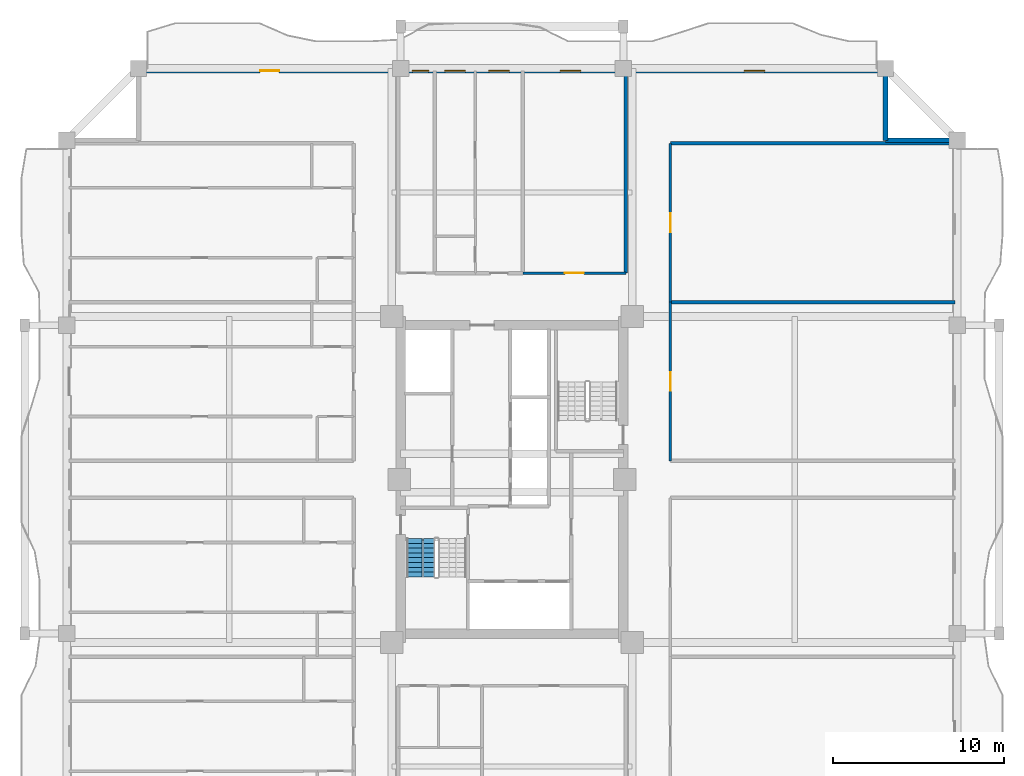
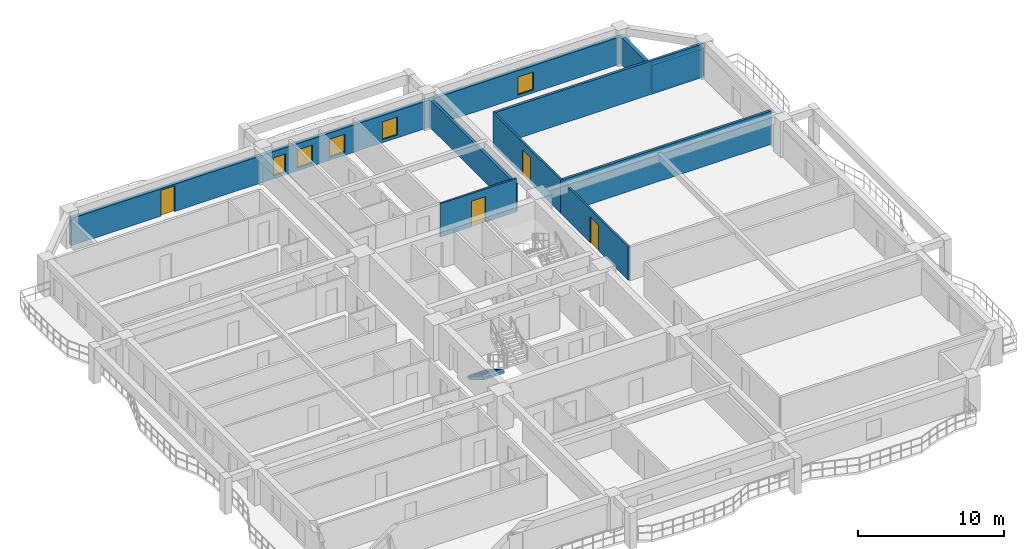
# One storey, part 6 of 11: 9 walls, 5 windows, 4 doors, 1 stair flight, 9 openings, 1 element without a shape of its own.
"""IFC4 building model written with IfcOpenShell, lengths in metres."""

from ifc_helpers import new_model, si_unit, direction, frame, frame_2d, origin, place, context, subcontext, project, spatial, polyline, rectangle, outline, extrude, source, transform, mapped, material, layer, layer_set, type_object, element, fill, aggregate, save


model = new_model("IFC4")

# Units and contexts
model_context = context("Model", 3, precision=1e-05, world=origin(), true_north=direction((0.0, 1.0)))
body_context = subcontext(model_context, "Body", "Model", "MODEL_VIEW")
ifc_project = project(units=[si_unit("LENGTHUNIT", "METRE"), si_unit("AREAUNIT", "SQUARE_METRE"), si_unit("VOLUMEUNIT", "CUBIC_METRE"), si_unit("PLANEANGLEUNIT", "RADIAN"), si_unit("MASSUNIT", "GRAM", prefix="KILO")], contexts=[model_context])

# Site, building, storey
site_placement = place(None, origin())
site = spatial("IfcSite", under=ifc_project, at=site_placement, CompositionType="ELEMENT")
building_placement = place(site_placement, origin())
building = spatial("IfcBuilding", under=site, at=building_placement, Name="Saelheon Loggia Tower", CompositionType="ELEMENT")
storey_placement = place(building_placement, frame((0.0, 0.0, 138.75)))
storey = spatial("IfcBuildingStorey", under=building, at=storey_placement, Name="L44", CompositionType="ELEMENT", Elevation=138.75)

# Wall, openings, windows, door
ifc_material_1 = material(Name="Architectural Precast Concrete C40/50", Category="concrete")
ifc_layer_1 = layer(ifc_material_1, 0.280029296875)
ifc_layer_set_1 = layer_set([ifc_layer_1], Name="Architectural Precast Concrete C40/50")
wall_type_1 = type_object("IfcWallType", Name="Wall_Ext_Loggia_280", PredefinedType="SOLIDWALL", material=ifc_layer_set_1)
wall_1_placement = place(storey_placement, frame((16.199951171875, 50.860107421875, 0.0), z_axis=(0.0, 0.0, 1.0), x_axis=(1.0, 0.0, 0.0)))
wall_1 = element("IfcWall", 1, at=wall_1_placement, inside=storey, type_object=wall_type_1, Name="L44 North Loggia Inner Wall", PredefinedType="SOLIDWALL", context=body_context, shape_type="SweptSolid", body=[
    extrude(rectangle(XDim=43.60009765625, YDim=0.280029296875, at=frame_2d((21.800048828125, 0.0))), origin(), (0.0, 0.0, 1.0), 2.280029296875),
])
opening_1_placement = place(wall_1_placement, frame((7.10009765625, 0.0, 0.0)))
opening_1 = element("IfcOpeningElement", 2, at=opening_1_placement, cuts=wall_1, Name="Opening TD1", PredefinedType="OPENING", context=body_context, shape_type="SweptSolid", body=[
    extrude(rectangle(XDim=1.10009765625, YDim=2.14990234375, at=frame_2d((0.550048828125, 1.074951171875))), frame((0.0, 0.152099609375, 0.0), z_axis=(0.0, -1.0, 0.0), x_axis=(1.0, 0.0, 0.0)), (0.0, 0.0, 1.0), 0.303955078125),
])
opening_2_placement = place(wall_1_placement, frame((15.982421875, 0.0, 0.25)))
opening_2 = element("IfcOpeningElement", 3, at=opening_2_placement, cuts=wall_1, Name="Opening WN-04", PredefinedType="OPENING", context=body_context, shape_type="SweptSolid", body=[
    extrude(rectangle(XDim=0.949951171875, YDim=1.5, at=frame_2d((0.47509765625, 0.75))), frame((0.0, 0.152099609375, 0.0), z_axis=(0.0, -1.0, 0.0), x_axis=(1.0, 0.0, 0.0)), (0.0, 0.0, 1.0), 0.303955078125),
])
opening_3_placement = place(wall_1_placement, frame((17.879638671875, 0.0, 0.25)))
opening_3 = element("IfcOpeningElement", 4, at=opening_3_placement, cuts=wall_1, Name="Opening WN-03", PredefinedType="OPENING", context=body_context, shape_type="SweptSolid", body=[
    extrude(rectangle(XDim=1.199951171875, YDim=1.5, at=frame_2d((0.60009765625, 0.75))), frame((0.0, 0.152099609375, 0.0), z_axis=(0.0, -1.0, 0.0), x_axis=(1.0, 0.0, 0.0)), (0.0, 0.0, 1.0), 0.303955078125),
])
opening_4_placement = place(wall_1_placement, frame((20.444091796875, 0.0, 0.25)))
opening_4 = element("IfcOpeningElement", 5, at=opening_4_placement, cuts=wall_1, Name="Opening WN-03", PredefinedType="OPENING", context=body_context, shape_type="SweptSolid", body=[
    extrude(rectangle(XDim=1.199951171875, YDim=1.5, at=frame_2d((0.60009765625, 0.75))), frame((0.0, 0.152099609375, 0.0), z_axis=(0.0, -1.0, 0.0), x_axis=(1.0, 0.0, 0.0)), (0.0, 0.0, 1.0), 0.303955078125),
])
opening_5_placement = place(wall_1_placement, frame((24.60693359375, 0.0, 0.25)))
opening_5 = element("IfcOpeningElement", 6, at=opening_5_placement, cuts=wall_1, Name="Opening WN-03", PredefinedType="OPENING", context=body_context, shape_type="SweptSolid", body=[
    extrude(rectangle(XDim=1.199951171875, YDim=1.5, at=frame_2d((0.60009765625, 0.75))), frame((0.0, 0.152099609375, 0.0), z_axis=(0.0, -1.0, 0.0), x_axis=(1.0, 0.0, 0.0)), (0.0, 0.0, 1.0), 0.303955078125),
])
opening_6_placement = place(wall_1_placement, frame((35.35009765625, 0.0, 0.25)))
opening_6 = element("IfcOpeningElement", 7, at=opening_6_placement, cuts=wall_1, Name="Opening WN-03", PredefinedType="OPENING", context=body_context, shape_type="SweptSolid", body=[
    extrude(rectangle(XDim=1.199951171875, YDim=1.5, at=frame_2d((0.60009765625, 0.75))), frame((0.0, 0.152099609375, 0.0), z_axis=(0.0, -1.0, 0.0), x_axis=(1.0, 0.0, 0.0)), (0.0, 0.0, 1.0), 0.303955078125),
])
ifc_material_2 = material(Name="Thermal-Break Aluminium and Triple Low-E Glass", Category="aluminium")
window_type_1 = type_object("IfcWindowType", Name="Win_Bedroom_1200x1500", PartitioningType="SINGLE_PANEL", PredefinedType="WINDOW", material=ifc_material_2)
shared_shape_1 = source(origin(), body_context, "Body", "SweptSolid", [
    extrude(rectangle(XDim=1.199951171875, YDim=1.5, at=frame_2d((0.60009765625, 0.75))), frame((0.0, 0.030029296875, 0.0), z_axis=(0.0, -1.0, 0.0), x_axis=(1.0, 0.0, 0.0)), (0.0, 0.0, 1.0), 0.06005859375),
])
window_1_placement = place(opening_3_placement, origin())
window_1 = element("IfcWindow", 8, at=window_1_placement, inside=storey, type_object=window_type_1, Name="L44 N Dwelling Window 3", OverallHeight=1.5, OverallWidth=1.199951171875, PartitioningType="SINGLE_PANEL", PredefinedType="WINDOW", context=body_context, shape_type="MappedRepresentation", body=[
    mapped(shared_shape_1, transform((0.0, 0.0, 0.0), scale=1.0)),
])
fill(opening_3, window_1)
window_2_placement = place(opening_4_placement, origin())
window_2 = element("IfcWindow", 9, at=window_2_placement, inside=storey, type_object=window_type_1, Name="L44 N Dwelling Window 4", OverallHeight=1.5, OverallWidth=1.199951171875, PartitioningType="SINGLE_PANEL", PredefinedType="WINDOW", context=body_context, shape_type="MappedRepresentation", body=[
    mapped(shared_shape_1, transform((0.0, 0.0, 0.0), scale=1.0)),
])
fill(opening_4, window_2)
window_3_placement = place(opening_5_placement, origin())
window_3 = element("IfcWindow", 10, at=window_3_placement, inside=storey, type_object=window_type_1, Name="L44 N Dwelling Window 5", OverallHeight=1.5, OverallWidth=1.199951171875, PartitioningType="SINGLE_PANEL", PredefinedType="WINDOW", context=body_context, shape_type="MappedRepresentation", body=[
    mapped(shared_shape_1, transform((0.0, 0.0, 0.0), scale=1.0)),
])
fill(opening_5, window_3)
window_4_placement = place(opening_6_placement, origin())
window_4 = element("IfcWindow", 11, at=window_4_placement, inside=storey, type_object=window_type_1, Name="L44 N Dwelling Window 6", OverallHeight=1.5, OverallWidth=1.199951171875, PartitioningType="SINGLE_PANEL", PredefinedType="WINDOW", context=body_context, shape_type="MappedRepresentation", body=[
    mapped(shared_shape_1, transform((0.0, 0.0, 0.0), scale=1.0)),
])
fill(opening_6, window_4)
ifc_material_3 = material(Name="Thermal-Break Aluminium Glazed Door", Category="aluminium")
door_type_1 = type_object("IfcDoorType", Name="Door_Terrace_TD1", OperationType="NOTDEFINED", PredefinedType="DOOR", material=ifc_material_3)
shared_shape_2 = source(origin(), body_context, "Body", "SweptSolid", [
    extrude(rectangle(XDim=1.10009765625, YDim=2.14990234375, at=frame_2d((0.550048828125, 1.074951171875))), frame((0.0, 0.02490234375, 0.0), z_axis=(0.0, -1.0, 0.0), x_axis=(1.0, 0.0, 0.0)), (0.0, 0.0, 1.0), 0.050048828125),
])
door_1_placement = place(opening_1_placement, origin())
door_1 = element("IfcDoor", 12, at=door_1_placement, inside=storey, type_object=door_type_1, Name="L44 N Loggia Access Door", OperationType="SINGLE_SWING_LEFT", OverallHeight=2.14990234375, OverallWidth=1.10009765625, PredefinedType="DOOR", context=body_context, shape_type="MappedRepresentation", body=[
    mapped(shared_shape_2, transform((0.0, 0.0, 0.0), scale=1.0)),
])
fill(opening_1, door_1)
window_type_2 = type_object("IfcWindowType", Name="Win_Narrow_950x1500", PartitioningType="SINGLE_PANEL", PredefinedType="WINDOW", material=ifc_material_2)
shared_shape_3 = source(origin(), body_context, "Body", "SweptSolid", [
    extrude(rectangle(XDim=0.949951171875, YDim=1.5, at=frame_2d((0.47509765625, 0.75))), frame((0.0, 0.030029296875, 0.0), z_axis=(0.0, -1.0, 0.0), x_axis=(1.0, 0.0, 0.0)), (0.0, 0.0, 1.0), 0.06005859375),
])
window_5_placement = place(opening_2_placement, origin())
window_5 = element("IfcWindow", 13, at=window_5_placement, inside=storey, type_object=window_type_2, Name="L44 N Dwelling Window 2", OverallHeight=1.5, OverallWidth=0.949951171875, PartitioningType="SINGLE_PANEL", PredefinedType="WINDOW", context=body_context, shape_type="MappedRepresentation", body=[
    mapped(shared_shape_3, transform((0.0, 0.0, 0.0), scale=1.0)),
])
fill(opening_2, window_5)

# Walls
for number, where, z_axis, x_axis, name in (
    (14, (59.800048828125, 46.800048828125, 0.0), (0.0, 0.0, 1.0), (0.0, 1.0, 0.0), "L44 Corner Notch Precast Wall NE1"),
    (15, (59.800048828125, 46.800048828125, 0.0), (0.0, 0.0, 1.0), (1.0, 0.0, 0.0), "L44 Corner Notch Precast Wall NE2"),
):
    element("IfcWall", number, at=place(storey_placement, frame(where, z_axis=z_axis, x_axis=x_axis)), inside=storey, type_object=wall_type_1, Name=name, PredefinedType="SOLIDWALL", context=body_context, shape_type="SweptSolid", body=[
        extrude(rectangle(XDim=4.119873046875, YDim=0.280029296875, at=frame_2d((2.06005859375, 0.0))), origin(), (0.0, 0.0, 1.0), 2.280029296875),
    ])

# Wall, opening, door
ifc_material_4 = material(Name="Lightweight Autoclaved Aerated Concrete Block and Acoustic Gypsum", Category="concrete")
ifc_layer_2 = layer(ifc_material_4, 0.14990234375)
ifc_layer_set_2 = layer_set([ifc_layer_2], Name="Lightweight Autoclaved Aerated Concrete Block and Acoustic Gypsum")
wall_type_2 = type_object("IfcWallType", Name="Wall_Part_150", PredefinedType="PARTITIONING", material=ifc_layer_set_2)
wall_2_placement = place(storey_placement, frame((38.62890625, 39.050048828125, 0.0), z_axis=(0.0, 0.0, 1.0), x_axis=(1.0, 0.0, 0.0)))
wall_2 = element("IfcWall", 16, at=wall_2_placement, inside=storey, type_object=wall_type_2, Name="L44 N Partition V12", PredefinedType="PARTITIONING", context=body_context, shape_type="SweptSolid", body=[
    extrude(rectangle(XDim=6.02099609375, YDim=0.14990234375, at=frame_2d((3.010498046875, 0.0))), origin(), (0.0, 0.0, 1.0), 2.7900390625),
])
opening_7_placement = place(wall_2_placement, frame((2.46044921875, 0.0, 0.0)))
opening_7 = element("IfcOpeningElement", 17, at=opening_7_placement, cuts=wall_2, Name="Opening D-FD2", PredefinedType="OPENING", context=body_context, shape_type="SweptSolid", body=[
    extrude(rectangle(XDim=1.10009765625, YDim=2.14990234375, at=frame_2d((0.550048828125, 1.074951171875))), frame((0.0, 0.0869140625, 0.0), z_axis=(0.0, -1.0, 0.0), x_axis=(1.0, 0.0, 0.0)), (0.0, 0.0, 1.0), 0.173828125),
])
ifc_material_5 = material(Name="Galvanised Steel Fire Door", Category="steel")
door_type_2 = type_object("IfcDoorType", Name="Door_Fire_FD60_1100", OperationType="NOTDEFINED", PredefinedType="DOOR", material=ifc_material_5)
door_2_placement = place(opening_7_placement, origin())
door_2 = element("IfcDoor", 18, at=door_2_placement, inside=storey, type_object=door_type_2, Name="L44 Community Reading Library Door A", OperationType="SINGLE_SWING_RIGHT", OverallHeight=2.14990234375, OverallWidth=1.10009765625, PredefinedType="DOOR", context=body_context, shape_type="MappedRepresentation", body=[
    mapped(shared_shape_2, transform((0.0, 0.0, 0.0), scale=1.0)),
])
fill(opening_7, door_2)

wall_3_placement = place(storey_placement, frame((47.25, 28.080078125, 0.0), z_axis=(0.0, 0.0, 1.0), x_axis=(0.0, 1.0, 0.0)))
wall_3 = element("IfcWall", 19, at=wall_3_placement, inside=storey, type_object=wall_type_2, Name="L44 EN Partition V03", PredefinedType="PARTITIONING", context=body_context, shape_type="SweptSolid", body=[
    extrude(rectangle(XDim=9.27001953125, YDim=0.14990234375, at=frame_2d((4.635009765625, 0.0))), origin(), (0.0, 0.0, 1.0), 2.7900390625),
])
opening_8_placement = place(wall_3_placement, frame((4.0849609375, 0.0, 0.0)))
opening_8 = element("IfcOpeningElement", 20, at=opening_8_placement, cuts=wall_3, Name="Opening D-FD2", PredefinedType="OPENING", context=body_context, shape_type="SweptSolid", body=[
    extrude(rectangle(XDim=1.10009765625, YDim=2.14990234375, at=frame_2d((0.550048828125, 1.074951171875))), frame((0.0, 0.0869140625, 0.0), z_axis=(0.0, -1.0, 0.0), x_axis=(1.0, 0.0, 0.0)), (0.0, 0.0, 1.0), 0.173828125),
])
door_3_placement = place(opening_8_placement, origin())
door_3 = element("IfcDoor", 21, at=door_3_placement, inside=storey, type_object=door_type_2, Name="L44 Co-Working Open Plan Office Door A", OperationType="SINGLE_SWING_LEFT", OverallHeight=2.14990234375, OverallWidth=1.10009765625, PredefinedType="DOOR", context=body_context, shape_type="MappedRepresentation", body=[
    mapped(shared_shape_2, transform((0.0, 0.0, 0.0), scale=1.0)),
])
fill(opening_8, door_3)

wall_4_placement = place(storey_placement, frame((47.25, 37.35009765625, 0.0), z_axis=(0.0, 0.0, 1.0), x_axis=(0.0, 1.0, 0.0)))
wall_4 = element("IfcWall", 22, at=wall_4_placement, inside=storey, type_object=wall_type_2, Name="L44 EN Partition V05", PredefinedType="PARTITIONING", context=body_context, shape_type="SweptSolid", body=[
    extrude(rectangle(XDim=9.27001953125, YDim=0.14990234375, at=frame_2d((4.635009765625, 0.0))), origin(), (0.0, 0.0, 1.0), 2.7900390625),
])
opening_9_placement = place(wall_4_placement, frame((4.0849609375, 0.0, 0.0)))
opening_9 = element("IfcOpeningElement", 23, at=opening_9_placement, cuts=wall_4, Name="Opening D-FD2", PredefinedType="OPENING", context=body_context, shape_type="SweptSolid", body=[
    extrude(rectangle(XDim=1.10009765625, YDim=2.14990234375, at=frame_2d((0.550048828125, 1.074951171875))), frame((0.0, 0.0869140625, 0.0), z_axis=(0.0, -1.0, 0.0), x_axis=(1.0, 0.0, 0.0)), (0.0, 0.0, 1.0), 0.173828125),
])
door_4_placement = place(opening_9_placement, origin())
door_4 = element("IfcDoor", 24, at=door_4_placement, inside=storey, type_object=door_type_2, Name="L44 Co-Working Open Plan Office Door A", OperationType="SINGLE_SWING_RIGHT", OverallHeight=2.14990234375, OverallWidth=1.10009765625, PredefinedType="DOOR", context=body_context, shape_type="MappedRepresentation", body=[
    mapped(shared_shape_2, transform((0.0, 0.0, 0.0), scale=1.0)),
])
fill(opening_9, door_4)

# Walls
ifc_material_6 = material(Name="Double Acoustic Stud and Fireboard Partition", Category="gypsum")
ifc_layer_3 = layer(ifc_material_6, 0.199951171875)
ifc_layer_set_3 = layer_set([ifc_layer_3], Name="Double Acoustic Stud and Fireboard Partition")
wall_type_3 = type_object("IfcWallType", Name="Wall_Party_200", PredefinedType="PARTITIONING", material=ifc_layer_set_3)
wall_5_placement = place(storey_placement, frame((44.64990234375, 39.050048828125, 0.0), z_axis=(0.0, 0.0, 1.0), x_axis=(0.0, 1.0, 0.0)))
element("IfcWall", 25, at=wall_5_placement, inside=storey, type_object=wall_type_3, Name="L44 N Partition U02", PredefinedType="PARTITIONING", context=body_context, shape_type="SweptSolid", body=[
    extrude(rectangle(XDim=11.800048828125, YDim=0.199951171875, at=frame_2d((5.89990234375, 0.0))), origin(), (0.0, 0.0, 1.0), 2.340087890625),
])
for number, where, z_axis, x_axis, name in (
    (26, (47.25, 46.6201171875, 0.0), (0.0, 0.0, 1.0), (1.0, 0.0, 0.0), "L44 EN Partition U02"),
    (27, (47.25, 37.35009765625, 0.0), (0.0, 0.0, 1.0), (1.0, 0.0, 0.0), "L44 EN Partition U04"),
):
    element("IfcWall", number, at=place(storey_placement, frame(where, z_axis=z_axis, x_axis=x_axis)), inside=storey, type_object=wall_type_3, Name=name, PredefinedType="PARTITIONING", context=body_context, shape_type="SweptSolid", body=[
        extrude(rectangle(XDim=16.60009765625, YDim=0.199951171875, at=frame_2d((8.300048828125, 0.0))), origin(), (0.0, 0.0, 1.0), 2.7900390625),
    ])

# Stair, stair flight
ifc_material_7 = material(Name="Concrete C40/50", Category="concrete")
stair_type = type_object("IfcStairType", Name="Stair_Escape_Core", PredefinedType="HALF_TURN_STAIR", material=ifc_material_7)
stair_placement = place(storey_placement, origin())
stair = element("IfcStair", 28, at=stair_placement, inside=storey, type_object=stair_type, Name="L44 Special Escape Stair ST1", PredefinedType="HALF_TURN_STAIR")
stair_flight_type = type_object("IfcStairFlightType", Name="StairFlight_Tower_1660", PredefinedType="STRAIGHT", material=ifc_material_7)
stair_flight_placement = place(storey_placement, frame((32.679931640625, 23.550048828125, 0.0), z_axis=(0.0, 0.0, 1.0), x_axis=(0.0, -1.0, 0.0)))
stair_flight = element("IfcStairFlight", 29, at=stair_flight_placement, type_object=stair_flight_type, Name="ST1 flight 1", NumberOfRisers=9, NumberOfTreads=8, PredefinedType="STRAIGHT", RiserHeight=0.166666667, TreadLength=0.28, context=body_context, shape_type="SweptSolid", body=[
    extrude(outline(polyline([(0.0, 0.0), (0.0, 0.166748046875), (0.280029296875, 0.166748046875), (0.280029296875, 0.333251953125), (0.56005859375, 0.333251953125), (0.56005859375, 0.5), (0.840087890625, 0.5), (0.840087890625, 0.666748046875), (1.1201171875, 0.666748046875), (1.1201171875, 0.833251953125), (1.39990234375, 0.833251953125), (1.39990234375, 1.0), (1.679931640625, 1.0), (1.679931640625, 1.166748046875), (1.9599609375, 1.166748046875), (1.9599609375, 1.333251953125), (2.239990234375, 1.333251953125), (2.239990234375, 1.5), (2.239990234375, 1.1240234375), (0.351806640625, 0.0), (0.0, 0.0)])), frame((0.0, -0.2490234375, 0.0), z_axis=(0.0, -1.0, 0.0), x_axis=(1.0, 0.0, 0.0)), (0.0, 0.0, 1.0), 0.5810546875),
    extrude(outline(polyline([(0.0, 0.0), (0.0, 0.166748046875), (0.280029296875, 0.166748046875), (0.280029296875, 0.333251953125), (0.56005859375, 0.333251953125), (0.56005859375, 0.5), (0.840087890625, 0.5), (0.840087890625, 0.666748046875), (1.1201171875, 0.666748046875), (1.1201171875, 0.833251953125), (1.39990234375, 0.833251953125), (1.39990234375, 1.0), (1.679931640625, 1.0), (1.679931640625, 1.166748046875), (1.9599609375, 1.166748046875), (1.9599609375, 1.333251953125), (2.239990234375, 1.333251953125), (2.239990234375, 1.5), (2.239990234375, 1.1240234375), (0.351806640625, 0.0), (0.0, 0.0)])), frame((0.0, -0.194091796875, 0.0), z_axis=(0.0, -1.0, 0.0), x_axis=(1.0, 0.0, 0.0)), (0.0, 0.0, 1.0), 0.0498046875),
    extrude(outline(polyline([(0.0, 0.0), (0.0, 0.166748046875), (0.280029296875, 0.166748046875), (0.280029296875, 0.333251953125), (0.56005859375, 0.333251953125), (0.56005859375, 0.5), (0.840087890625, 0.5), (0.840087890625, 0.666748046875), (1.1201171875, 0.666748046875), (1.1201171875, 0.833251953125), (1.39990234375, 0.833251953125), (1.39990234375, 1.0), (1.679931640625, 1.0), (1.679931640625, 1.166748046875), (1.9599609375, 1.166748046875), (1.9599609375, 1.333251953125), (2.239990234375, 1.333251953125), (2.239990234375, 1.5), (2.239990234375, 1.1240234375), (0.351806640625, 0.0), (0.0, 0.0)])), frame((0.0, -0.139404296875, 0.0), z_axis=(0.0, -1.0, 0.0), x_axis=(1.0, 0.0, 0.0)), (0.0, 0.0, 1.0), 0.0498046875),
    extrude(outline(polyline([(0.0, 0.0), (0.0, 0.166748046875), (0.280029296875, 0.166748046875), (0.280029296875, 0.333251953125), (0.56005859375, 0.333251953125), (0.56005859375, 0.5), (0.840087890625, 0.5), (0.840087890625, 0.666748046875), (1.1201171875, 0.666748046875), (1.1201171875, 0.833251953125), (1.39990234375, 0.833251953125), (1.39990234375, 1.0), (1.679931640625, 1.0), (1.679931640625, 1.166748046875), (1.9599609375, 1.166748046875), (1.9599609375, 1.333251953125), (2.239990234375, 1.333251953125), (2.239990234375, 1.5), (2.239990234375, 1.1240234375), (0.351806640625, 0.0), (0.0, 0.0)])), frame((0.0, -0.084716796875, 0.0), z_axis=(0.0, -1.0, 0.0), x_axis=(1.0, 0.0, 0.0)), (0.0, 0.0, 1.0), 0.0498046875),
    extrude(outline(polyline([(0.0, 0.0), (0.0, 0.166748046875), (0.280029296875, 0.166748046875), (0.280029296875, 0.333251953125), (0.56005859375, 0.333251953125), (0.56005859375, 0.5), (0.840087890625, 0.5), (0.840087890625, 0.666748046875), (1.1201171875, 0.666748046875), (1.1201171875, 0.833251953125), (1.39990234375, 0.833251953125), (1.39990234375, 1.0), (1.679931640625, 1.0), (1.679931640625, 1.166748046875), (1.9599609375, 1.166748046875), (1.9599609375, 1.333251953125), (2.239990234375, 1.333251953125), (2.239990234375, 1.5), (2.239990234375, 1.1240234375), (0.351806640625, 0.0), (0.0, 0.0)])), frame((0.0, -0.02978515625, 0.0), z_axis=(0.0, -1.0, 0.0), x_axis=(1.0, 0.0, 0.0)), (0.0, 0.0, 1.0), 0.0498046875),
    extrude(outline(polyline([(0.0, 0.0), (0.0, 0.166748046875), (0.280029296875, 0.166748046875), (0.280029296875, 0.333251953125), (0.56005859375, 0.333251953125), (0.56005859375, 0.5), (0.840087890625, 0.5), (0.840087890625, 0.666748046875), (1.1201171875, 0.666748046875), (1.1201171875, 0.833251953125), (1.39990234375, 0.833251953125), (1.39990234375, 1.0), (1.679931640625, 1.0), (1.679931640625, 1.166748046875), (1.9599609375, 1.166748046875), (1.9599609375, 1.333251953125), (2.239990234375, 1.333251953125), (2.239990234375, 1.5), (2.239990234375, 1.1240234375), (0.351806640625, 0.0), (0.0, 0.0)])), frame((0.0, 0.02490234375, 0.0), z_axis=(0.0, -1.0, 0.0), x_axis=(1.0, 0.0, 0.0)), (0.0, 0.0, 1.0), 0.0498046875),
    extrude(outline(polyline([(0.0, 0.0), (0.0, 0.166748046875), (0.280029296875, 0.166748046875), (0.280029296875, 0.333251953125), (0.56005859375, 0.333251953125), (0.56005859375, 0.5), (0.840087890625, 0.5), (0.840087890625, 0.666748046875), (1.1201171875, 0.666748046875), (1.1201171875, 0.833251953125), (1.39990234375, 0.833251953125), (1.39990234375, 1.0), (1.679931640625, 1.0), (1.679931640625, 1.166748046875), (1.9599609375, 1.166748046875), (1.9599609375, 1.333251953125), (2.239990234375, 1.333251953125), (2.239990234375, 1.5), (2.239990234375, 1.1240234375), (0.351806640625, 0.0), (0.0, 0.0)])), frame((0.0, 0.07958984375, 0.0), z_axis=(0.0, -1.0, 0.0), x_axis=(1.0, 0.0, 0.0)), (0.0, 0.0, 1.0), 0.0498046875),
    extrude(outline(polyline([(0.0, 0.0), (0.0, 0.166748046875), (0.280029296875, 0.166748046875), (0.280029296875, 0.333251953125), (0.56005859375, 0.333251953125), (0.56005859375, 0.5), (0.840087890625, 0.5), (0.840087890625, 0.666748046875), (1.1201171875, 0.666748046875), (1.1201171875, 0.833251953125), (1.39990234375, 0.833251953125), (1.39990234375, 1.0), (1.679931640625, 1.0), (1.679931640625, 1.166748046875), (1.9599609375, 1.166748046875), (1.9599609375, 1.333251953125), (2.239990234375, 1.333251953125), (2.239990234375, 1.5), (2.239990234375, 1.1240234375), (0.351806640625, 0.0), (0.0, 0.0)])), frame((0.0, 0.134521484375, 0.0), z_axis=(0.0, -1.0, 0.0), x_axis=(1.0, 0.0, 0.0)), (0.0, 0.0, 1.0), 0.0498046875),
    extrude(outline(polyline([(0.0, 0.0), (0.0, 0.166748046875), (0.280029296875, 0.166748046875), (0.280029296875, 0.333251953125), (0.56005859375, 0.333251953125), (0.56005859375, 0.5), (0.840087890625, 0.5), (0.840087890625, 0.666748046875), (1.1201171875, 0.666748046875), (1.1201171875, 0.833251953125), (1.39990234375, 0.833251953125), (1.39990234375, 1.0), (1.679931640625, 1.0), (1.679931640625, 1.166748046875), (1.9599609375, 1.166748046875), (1.9599609375, 1.333251953125), (2.239990234375, 1.333251953125), (2.239990234375, 1.5), (2.239990234375, 1.1240234375), (0.351806640625, 0.0), (0.0, 0.0)])), frame((0.0, 0.189208984375, 0.0), z_axis=(0.0, -1.0, 0.0), x_axis=(1.0, 0.0, 0.0)), (0.0, 0.0, 1.0), 0.0498046875),
    extrude(outline(polyline([(0.0, 0.0), (0.0, 0.166748046875), (0.280029296875, 0.166748046875), (0.280029296875, 0.333251953125), (0.56005859375, 0.333251953125), (0.56005859375, 0.5), (0.840087890625, 0.5), (0.840087890625, 0.666748046875), (1.1201171875, 0.666748046875), (1.1201171875, 0.833251953125), (1.39990234375, 0.833251953125), (1.39990234375, 1.0), (1.679931640625, 1.0), (1.679931640625, 1.166748046875), (1.9599609375, 1.166748046875), (1.9599609375, 1.333251953125), (2.239990234375, 1.333251953125), (2.239990234375, 1.5), (2.239990234375, 1.1240234375), (0.351806640625, 0.0), (0.0, 0.0)])), frame((0.0, 0.243896484375, 0.0), z_axis=(0.0, -1.0, 0.0), x_axis=(1.0, 0.0, 0.0)), (0.0, 0.0, 1.0), 0.0498046875),
    extrude(outline(polyline([(0.0, 0.0), (0.0, 0.166748046875), (0.280029296875, 0.166748046875), (0.280029296875, 0.333251953125), (0.56005859375, 0.333251953125), (0.56005859375, 0.5), (0.840087890625, 0.5), (0.840087890625, 0.666748046875), (1.1201171875, 0.666748046875), (1.1201171875, 0.833251953125), (1.39990234375, 0.833251953125), (1.39990234375, 1.0), (1.679931640625, 1.0), (1.679931640625, 1.166748046875), (1.9599609375, 1.166748046875), (1.9599609375, 1.333251953125), (2.239990234375, 1.333251953125), (2.239990234375, 1.5), (2.239990234375, 1.1240234375), (0.351806640625, 0.0), (0.0, 0.0)])), frame((0.0, 0.830078125, 0.0), z_axis=(0.0, -1.0, 0.0), x_axis=(1.0, 0.0, 0.0)), (0.0, 0.0, 1.0), 0.5810546875),
])
aggregate(stair, [stair_flight])

save(model, "model.ifc")
